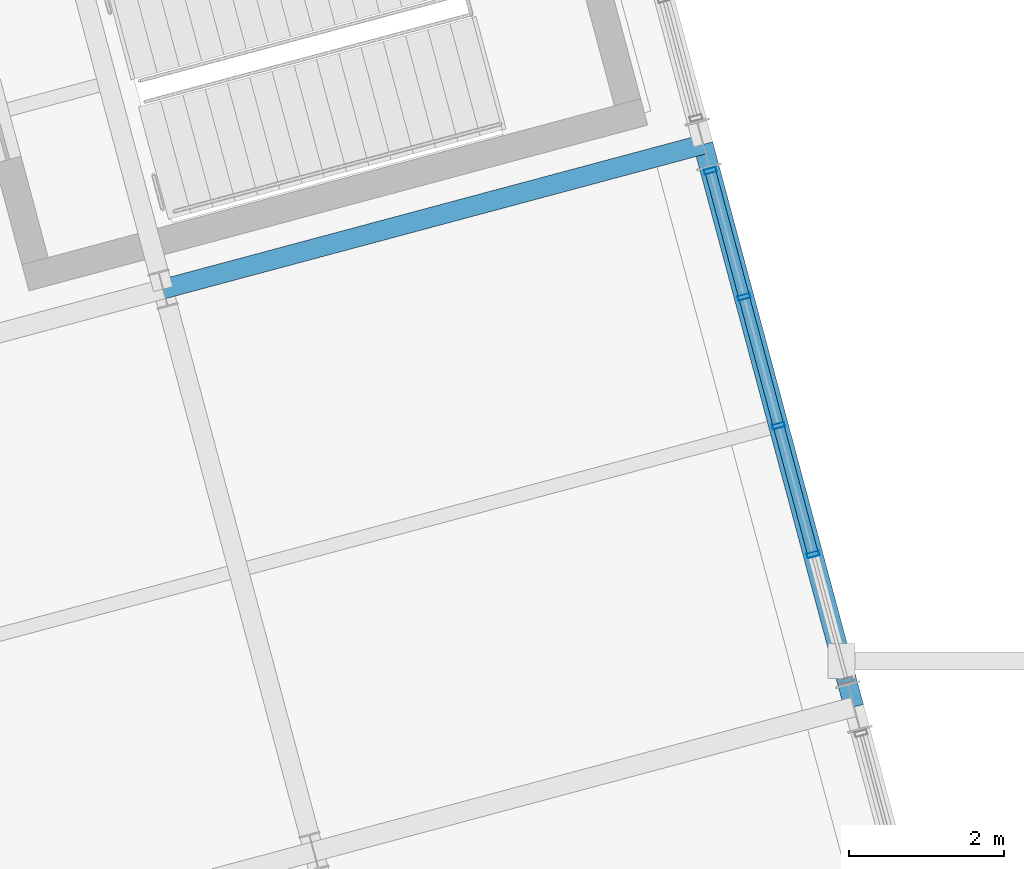
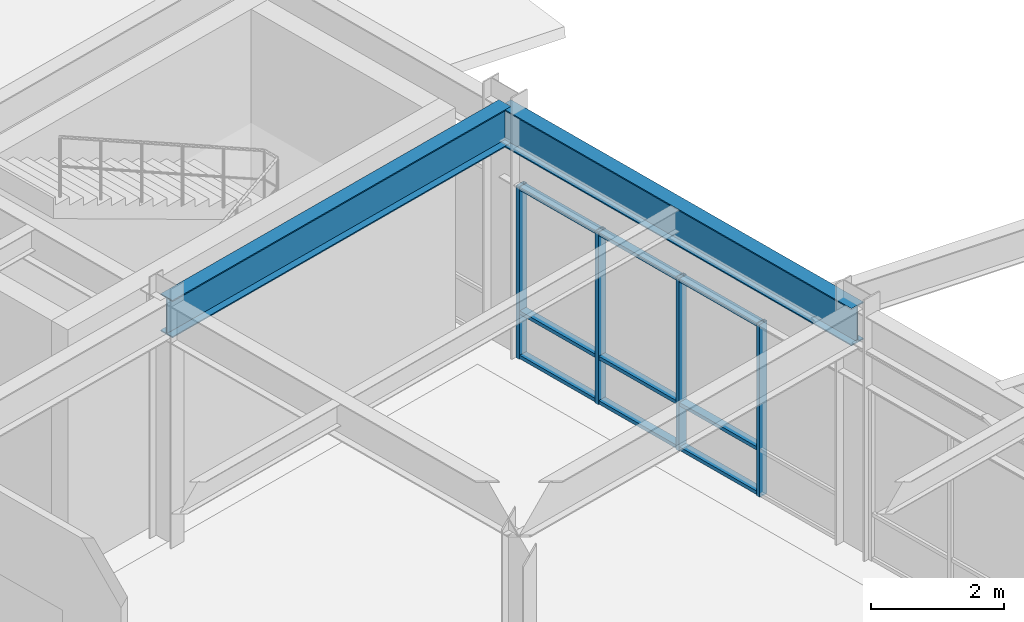
# One storey, part 49 of 104: 13 members, 2 beams, 1 element without a shape of its own.
"""IFC4 building model written with IfcOpenShell, lengths in metres."""

from ifc_helpers import new_model, si_unit, direction, frame, origin, origin_2d, place, context, subcontext, project, spatial, hollow_rectangle, i_section, extrude, material, layer, layer_set, material_profile, profile_set, type_object, element, aggregate, save


model = new_model("IFC4")

# Units and contexts
model_context = context("Model", 3, precision=1e-05, world=origin(), true_north=direction((0.0, 1.0)))
body_context = subcontext(model_context, "Body", "Model", "MODEL_VIEW")
ifc_project = project(units=[si_unit("LENGTHUNIT", "METRE"), si_unit("AREAUNIT", "SQUARE_METRE"), si_unit("VOLUMEUNIT", "CUBIC_METRE"), si_unit("PLANEANGLEUNIT", "RADIAN"), si_unit("MASSUNIT", "GRAM", prefix="KILO")], contexts=[model_context])

# Site, building, storey
site_placement = place(None, origin())
site = spatial("IfcSite", under=ifc_project, at=site_placement, CompositionType="ELEMENT")
building_placement = place(site_placement, origin())
building = spatial("IfcBuilding", under=site, at=building_placement, Name="Ventoquebrada Cableway Terminal", CompositionType="ELEMENT")
storey_placement = place(building_placement, frame((0.0, 0.0, 4.800048828125)))
storey = spatial("IfcBuildingStorey", under=building, at=storey_placement, Name="L01", CompositionType="ELEMENT", Elevation=4.800048828125)

# Beams
ifc_material_1 = material(Name="Steel ASTM A992 Grade 50", Category="steel")
ifc_material_profile_1 = material_profile(ifc_material_1, i_section(OverallWidth=0.25390625, OverallDepth=0.68798828125, WebThickness=0.01318359375, FlangeThickness=0.02099609375, at=origin_2d()), Name="W27X102")
ifc_profile_set_1 = profile_set([ifc_material_profile_1], Name="Steel ASTM A992 Grade 50")
beam_type = type_object("IfcBeamType", Name="BM-ST04", PredefinedType="BEAM", material=ifc_profile_set_1)
beam_1_placement = place(storey_placement, frame((83.386962890625, 91.658935546875, 4.130859375), z_axis=(-0.258801172479, 0.965930615067, 0.0), x_axis=(-0.965930615067, -0.258801172479, 0.0)))
element("IfcBeam", 1, at=beam_1_placement, inside=storey, type_object=beam_type, Name="Splayed station girder FBM-1039", PredefinedType="BEAM", context=body_context, shape_type="SweptSolid", body=[
    extrude(i_section(OverallWidth=0.25390625, OverallDepth=0.68798828125, WebThickness=0.01318359375, FlangeThickness=0.02099609375, at=origin_2d()), origin(), (0.0, 0.0, 1.0), 7.499755859375),
])
beam_2_placement = place(storey_placement, frame((74.490966796875, 97.0400390625, 4.130859375), z_axis=(0.965945630245, 0.258745124417, 0.0), x_axis=(-0.258745124417, 0.965945630245, 0.0)))
element("IfcBeam", 2, at=beam_2_placement, inside=storey, type_object=beam_type, Name="Splayed station girder FBM-1060", PredefinedType="BEAM", context=body_context, shape_type="SweptSolid", body=[
    extrude(i_section(OverallWidth=0.25390625, OverallDepth=0.68798828125, WebThickness=0.01318359375, FlangeThickness=0.02099609375, at=origin_2d()), origin(), (0.0, 0.0, 1.0), 7.2001953125),
])

# Curtain wall, members
ifc_material_2 = material(Name="Anodized thermally-broken aluminium", Category="aluminium")
ifc_layer = layer(ifc_material_2, 0.159912109375)
ifc_layer_set = layer_set([ifc_layer], Name="Anodized thermally-broken aluminium")
curtain_wall_type = type_object("IfcCurtainWallType", Name="CW-T39", PredefinedType="USERDEFINED", material=ifc_layer_set)
curtain_wall_placement = place(storey_placement, origin())
curtain_wall = element("IfcCurtainWall", 3, at=curtain_wall_placement, inside=storey, type_object=curtain_wall_type, Name="Unitised glazed curtain wall CW-099", ObjectType="UNITISED CURTAIN WALL", PredefinedType="USERDEFINED")
ifc_material_profile_2 = material_profile(ifc_material_2, hollow_rectangle(XDim=0.06494140625, YDim=0.159912109375, WallThickness=0.00390625, at=origin_2d()), Name="CW-MUL-65X160")
ifc_profile_set_2 = profile_set([ifc_material_profile_2], Name="Anodized thermally-broken aluminium")
member_type_1 = type_object("IfcMemberType", Name="CWM-01", PredefinedType="MULLION", material=ifc_profile_set_2)
member_1_placement = place(storey_placement, frame((82.861083984375, 93.623046875, -0.008056640625), z_axis=(0.0, 0.0, 1.0), x_axis=(-0.258734751187, 0.965948408834, 0.0)))
member_1 = element("IfcMember", 4, at=member_1_placement, type_object=member_type_1, Name="Curtain wall mullion FML-0482", PredefinedType="MULLION", context=body_context, shape_type="SweptSolid", body=[
    extrude(hollow_rectangle(XDim=0.06494140625, YDim=0.159912109375, WallThickness=0.00390625, at=origin_2d()), origin(), (0.0, 0.0, 1.0), 3.173095703125),
])
member_2_placement = place(storey_placement, frame((82.4169921875, 95.281005859375, -0.008056640625), z_axis=(0.0, 0.0, 1.0), x_axis=(-0.258734751187, 0.965948408834, 0.0)))
member_2 = element("IfcMember", 5, at=member_2_placement, type_object=member_type_1, Name="Curtain wall mullion FML-0483", PredefinedType="MULLION", context=body_context, shape_type="SweptSolid", body=[
    extrude(hollow_rectangle(XDim=0.06494140625, YDim=0.159912109375, WallThickness=0.00390625, at=origin_2d()), origin(), (0.0, 0.0, 1.0), 3.173095703125),
])
member_3_placement = place(storey_placement, frame((81.971923828125, 96.93896484375, -0.008056640625), z_axis=(0.0, 0.0, 1.0), x_axis=(-0.258734751187, 0.965948408834, 0.0)))
member_3 = element("IfcMember", 6, at=member_3_placement, type_object=member_type_1, Name="Curtain wall mullion FML-0484", PredefinedType="MULLION", context=body_context, shape_type="SweptSolid", body=[
    extrude(hollow_rectangle(XDim=0.06494140625, YDim=0.159912109375, WallThickness=0.00390625, at=origin_2d()), origin(), (0.0, 0.0, 1.0), 3.173095703125),
])
member_4_placement = place(storey_placement, frame((81.537109375, 98.56396484375, -0.008056640625), z_axis=(0.0, 0.0, 1.0), x_axis=(-0.258734751187, 0.965948408834, 0.0)))
member_4 = element("IfcMember", 7, at=member_4_placement, type_object=member_type_1, Name="Curtain wall mullion FML-0485", PredefinedType="MULLION", context=body_context, shape_type="SweptSolid", body=[
    extrude(hollow_rectangle(XDim=0.06494140625, YDim=0.159912109375, WallThickness=0.00390625, at=origin_2d()), origin(), (0.0, 0.0, 1.0), 3.173095703125),
])
ifc_material_profile_3 = material_profile(ifc_material_2, hollow_rectangle(XDim=0.06494140625, YDim=0.139892578125, WallThickness=0.00390625, at=origin_2d()), Name="CW-TRN-65X140")
ifc_profile_set_3 = profile_set([ifc_material_profile_3], Name="Anodized thermally-broken aluminium")
member_type_2 = type_object("IfcMemberType", Name="CWT-01", PredefinedType="USERDEFINED", material=ifc_profile_set_3)
member_5_placement = place(storey_placement, frame((82.85400390625, 93.64892578125, 0.034912109375), z_axis=(-0.258750774222, 0.96594411683, 0.0), x_axis=(0.0, 0.0, 1.0)))
member_5 = element("IfcMember", 8, at=member_5_placement, type_object=member_type_2, Name="Curtain wall transom FTR-1418", ObjectType="TRANSOM", PredefinedType="USERDEFINED", context=body_context, shape_type="SweptSolid", body=[
    extrude(hollow_rectangle(XDim=0.06494140625, YDim=0.139892578125, WallThickness=0.00390625, at=origin_2d()), origin(), (0.0, 0.0, 1.0), 1.66162109375),
])
member_6_placement = place(storey_placement, frame((82.85400390625, 93.64892578125, 0.849853515625), z_axis=(-0.258750774222, 0.96594411683, 0.0), x_axis=(0.0, 0.0, 1.0)))
member_6 = element("IfcMember", 9, at=member_6_placement, type_object=member_type_2, Name="Curtain wall transom FTR-1419", ObjectType="TRANSOM", PredefinedType="USERDEFINED", context=body_context, shape_type="SweptSolid", body=[
    extrude(hollow_rectangle(XDim=0.06494140625, YDim=0.139892578125, WallThickness=0.00390625, at=origin_2d()), origin(), (0.0, 0.0, 1.0), 1.66162109375),
])
member_7_placement = place(storey_placement, frame((82.85400390625, 93.64892578125, 3.125), z_axis=(-0.258750774222, 0.96594411683, 0.0), x_axis=(0.0, 0.0, 1.0)))
member_7 = element("IfcMember", 10, at=member_7_placement, type_object=member_type_2, Name="Curtain wall transom FTR-1420", ObjectType="TRANSOM", PredefinedType="USERDEFINED", context=body_context, shape_type="SweptSolid", body=[
    extrude(hollow_rectangle(XDim=0.06494140625, YDim=0.139892578125, WallThickness=0.00390625, at=origin_2d()), origin(), (0.0, 0.0, 1.0), 1.66162109375),
])
member_8_placement = place(storey_placement, frame((82.408935546875, 95.30810546875, 0.034912109375), z_axis=(-0.258750774222, 0.96594411683, 0.0), x_axis=(0.0, 0.0, 1.0)))
member_8 = element("IfcMember", 11, at=member_8_placement, type_object=member_type_2, Name="Curtain wall transom FTR-1421", ObjectType="TRANSOM", PredefinedType="USERDEFINED", context=body_context, shape_type="SweptSolid", body=[
    extrude(hollow_rectangle(XDim=0.06494140625, YDim=0.139892578125, WallThickness=0.00390625, at=origin_2d()), origin(), (0.0, 0.0, 1.0), 1.66162109375),
])
member_9_placement = place(storey_placement, frame((82.408935546875, 95.30810546875, 0.849853515625), z_axis=(-0.258750774222, 0.96594411683, 0.0), x_axis=(0.0, 0.0, 1.0)))
member_9 = element("IfcMember", 12, at=member_9_placement, type_object=member_type_2, Name="Curtain wall transom FTR-1422", ObjectType="TRANSOM", PredefinedType="USERDEFINED", context=body_context, shape_type="SweptSolid", body=[
    extrude(hollow_rectangle(XDim=0.06494140625, YDim=0.139892578125, WallThickness=0.00390625, at=origin_2d()), origin(), (0.0, 0.0, 1.0), 1.66162109375),
])
member_10_placement = place(storey_placement, frame((82.408935546875, 95.30810546875, 3.125), z_axis=(-0.258750774222, 0.96594411683, 0.0), x_axis=(0.0, 0.0, 1.0)))
member_10 = element("IfcMember", 13, at=member_10_placement, type_object=member_type_2, Name="Curtain wall transom FTR-1423", ObjectType="TRANSOM", PredefinedType="USERDEFINED", context=body_context, shape_type="SweptSolid", body=[
    extrude(hollow_rectangle(XDim=0.06494140625, YDim=0.139892578125, WallThickness=0.00390625, at=origin_2d()), origin(), (0.0, 0.0, 1.0), 1.66162109375),
])
member_11_placement = place(storey_placement, frame((81.965087890625, 96.966064453125, 0.034912109375), z_axis=(-0.258773577288, 0.965938008206, 0.0), x_axis=(0.0, 0.0, 1.0)))
member_11 = element("IfcMember", 14, at=member_11_placement, type_object=member_type_2, Name="Curtain wall transom FTR-1424", ObjectType="TRANSOM", PredefinedType="USERDEFINED", context=body_context, shape_type="SweptSolid", body=[
    extrude(hollow_rectangle(XDim=0.06494140625, YDim=0.139892578125, WallThickness=0.00390625, at=origin_2d()), origin(), (0.0, 0.0, 1.0), 1.62744140625),
])
member_12_placement = place(storey_placement, frame((81.965087890625, 96.966064453125, 0.849853515625), z_axis=(-0.258773577288, 0.965938008206, 0.0), x_axis=(0.0, 0.0, 1.0)))
member_12 = element("IfcMember", 15, at=member_12_placement, type_object=member_type_2, Name="Curtain wall transom FTR-1425", ObjectType="TRANSOM", PredefinedType="USERDEFINED", context=body_context, shape_type="SweptSolid", body=[
    extrude(hollow_rectangle(XDim=0.06494140625, YDim=0.139892578125, WallThickness=0.00390625, at=origin_2d()), origin(), (0.0, 0.0, 1.0), 1.62744140625),
])
member_13_placement = place(storey_placement, frame((81.965087890625, 96.966064453125, 3.125), z_axis=(-0.258773577288, 0.965938008206, 0.0), x_axis=(0.0, 0.0, 1.0)))
member_13 = element("IfcMember", 16, at=member_13_placement, type_object=member_type_2, Name="Curtain wall transom FTR-1426", ObjectType="TRANSOM", PredefinedType="USERDEFINED", context=body_context, shape_type="SweptSolid", body=[
    extrude(hollow_rectangle(XDim=0.06494140625, YDim=0.139892578125, WallThickness=0.00390625, at=origin_2d()), origin(), (0.0, 0.0, 1.0), 1.62744140625),
])
aggregate(curtain_wall, [member_1, member_2, member_3, member_4, member_5, member_6, member_7, member_8, member_9, member_10, member_11, member_12, member_13])

save(model, "model.ifc")
